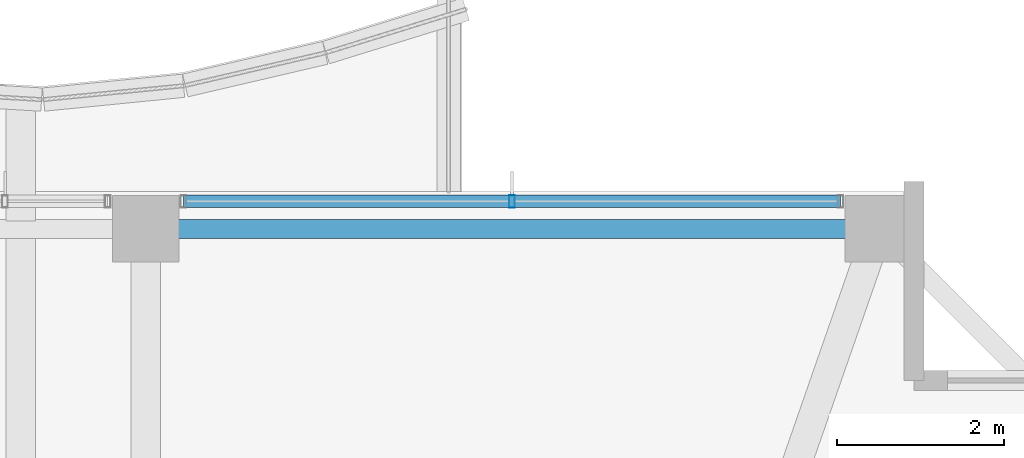
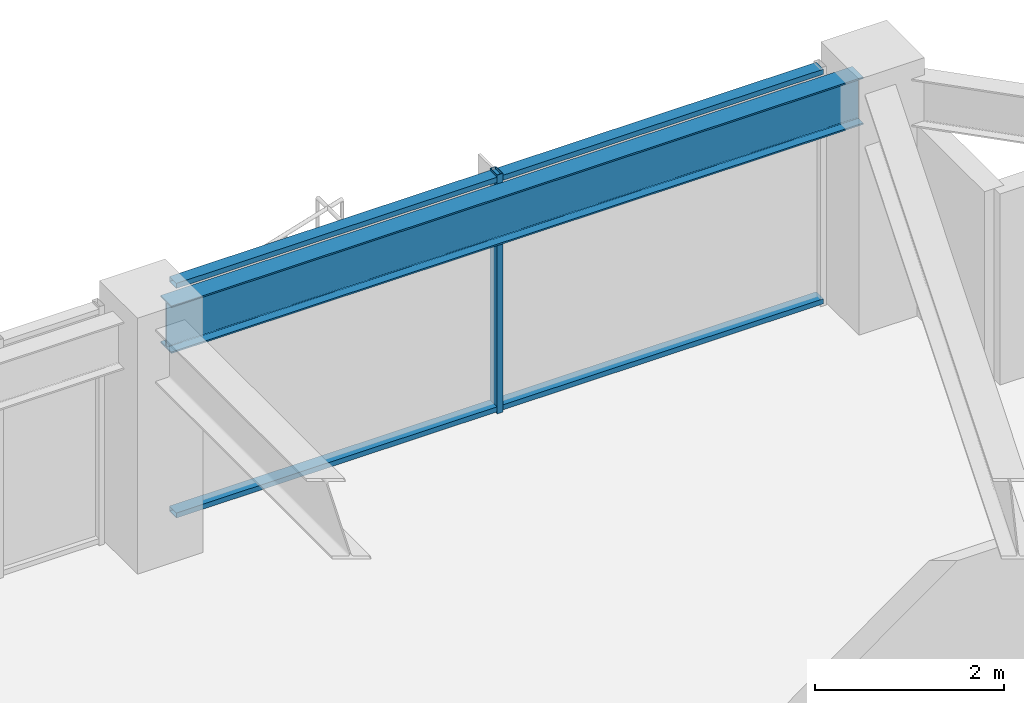
# One storey, part 19 of 36: 3 members, 1 beam, 1 element without a shape of its own.
"""IFC4 building model written with IfcOpenShell, lengths in metres."""

from ifc_helpers import new_model, si_unit, direction, frame, origin, origin_2d, place, context, subcontext, project, spatial, hollow_rectangle, i_section, extrude, material, material_profile, profile_set, type_object, element, aggregate, save


model = new_model("IFC4")

# Units and contexts
model_context = context("Model", 3, precision=1e-05, world=origin(), true_north=direction((0.0, 1.0)))
body_context = subcontext(model_context, "Body", "Model", "MODEL_VIEW")
ifc_project = project(units=[si_unit("LENGTHUNIT", "METRE"), si_unit("AREAUNIT", "SQUARE_METRE"), si_unit("VOLUMEUNIT", "CUBIC_METRE"), si_unit("PLANEANGLEUNIT", "RADIAN"), si_unit("MASSUNIT", "GRAM", prefix="KILO")], contexts=[model_context])

# Site, building, storey
site_placement = place(None, origin())
site = spatial("IfcSite", under=ifc_project, at=site_placement, CompositionType="ELEMENT")
building_placement = place(site_placement, origin())
building = spatial("IfcBuilding", under=site, at=building_placement, Name="Kolvaren Belvedere", CompositionType="ELEMENT")
storey_placement = place(building_placement, frame((0.0, 0.0, 196.5)))
storey = spatial("IfcBuildingStorey", under=building, at=storey_placement, Name="L57", CompositionType="ELEMENT", Elevation=196.5)

# Beam
ifc_material_1 = material(Name="Structural steel ASTM A992 Grade 50", Category="steel")
ifc_material_profile_1 = material_profile(ifc_material_1, i_section(OverallWidth=0.22900390625, OverallDepth=0.612060546875, WebThickness=0.011962890625, FlangeThickness=0.01953125, FilletRadius=0.01806640625, at=origin_2d()), Name="W24X84")
ifc_profile_set_1 = profile_set([ifc_material_profile_1], Name="Structural steel ASTM A992 Grade 50")
beam_type = type_object("IfcBeamType", Name="BM-SPAN-W24X84", PredefinedType="SPANDREL", material=ifc_profile_set_1)
beam_placement = place(storey_placement, frame((13.219970703125, 19.949951171875, 2.77392578125), z_axis=(-1.0, 0.0, 0.0), x_axis=(0.0, -1.0, 0.0)))
element("IfcBeam", 1, at=beam_placement, inside=storey, type_object=beam_type, Name="L57 Perimeter Spandrel N4-N3", PredefinedType="SPANDREL", context=body_context, shape_type="SweptSolid", body=[
    extrude(i_section(OverallWidth=0.22900390625, OverallDepth=0.612060546875, WebThickness=0.011962890625, FlangeThickness=0.01953125, FilletRadius=0.01806640625, at=origin_2d()), origin(), (0.0, 0.0, 1.0), 8.43994140625),
])

# Curtain wall, members
ifc_material_2 = material(Name="Anodised pale-metal aluminium AA 6063-T6", Category="aluminium")
curtain_wall_type = type_object("IfcCurtainWallType", Name="CW-Z5-HIGH", PredefinedType="NOTDEFINED", material=ifc_material_2)
curtain_wall_placement = place(storey_placement, origin())
curtain_wall = element("IfcCurtainWall", 2, at=curtain_wall_placement, inside=storey, type_object=curtain_wall_type, Name="L57 Unitised Curtain Wall FCW-L57-N2-B2", PredefinedType="NOTDEFINED")
ifc_material_3 = material(Name="Anodised pale-metal aluminium AA 6063-T6", Category="aluminium")
ifc_material_profile_2 = material_profile(ifc_material_3, hollow_rectangle(XDim=0.070068359375, YDim=0.14990234375, WallThickness=0.004150390625, at=origin_2d()), Name="ALU-MUL-150X70")
ifc_profile_set_2 = profile_set([ifc_material_profile_2], Name="Anodised pale-metal aluminium AA 6063-T6")
member_type_1 = type_object("IfcMemberType", Name="CW-MUL-150", PredefinedType="MULLION", material=ifc_profile_set_2)
member_1_placement = place(storey_placement, frame((9.0, 20.280029296875, 0.0), z_axis=(0.0, 0.0, 1.0), x_axis=(1.0, 0.0, 0.0)))
member_1 = element("IfcMember", 3, at=member_1_placement, type_object=member_type_1, Name="FCW-L57-N2-B2 Unitised Mullion 2", PredefinedType="MULLION", context=body_context, shape_type="SweptSolid", body=[
    extrude(hollow_rectangle(XDim=0.070068359375, YDim=0.14990234375, WallThickness=0.004150390625, at=origin_2d()), origin(), (0.0, 0.0, 1.0), 3.080078125),
])
ifc_material_4 = material(Name="Anodised pale-metal aluminium AA 6063-T6", Category="aluminium")
ifc_material_profile_3 = material_profile(ifc_material_4, hollow_rectangle(XDim=0.06494140625, YDim=0.14990234375, WallThickness=0.00390625, at=origin_2d()), Name="ALU-TRN-150X65")
ifc_profile_set_3 = profile_set([ifc_material_profile_3], Name="Anodised pale-metal aluminium AA 6063-T6")
member_type_2 = type_object("IfcMemberType", Name="CW-TRN-150", PredefinedType="USERDEFINED", material=ifc_profile_set_3)
member_2_placement = place(storey_placement, frame((5.054931640625, 20.280029296875, 0.06005859375), z_axis=(1.0, 0.0, 0.0), x_axis=(0.0, 0.0, 1.0)))
member_2 = element("IfcMember", 4, at=member_2_placement, type_object=member_type_2, Name="FCW-L57-N2-B2 Sill Transom", ObjectType="TRANSOM", PredefinedType="USERDEFINED", context=body_context, shape_type="SweptSolid", body=[
    extrude(hollow_rectangle(XDim=0.06494140625, YDim=0.14990234375, WallThickness=0.00390625, at=origin_2d()), origin(), (0.0, 0.0, 1.0), 7.89013671875),
])
member_3_placement = place(storey_placement, frame((5.054931640625, 20.280029296875, 3.02001953125), z_axis=(1.0, 0.0, 0.0), x_axis=(0.0, 0.0, 1.0)))
member_3 = element("IfcMember", 5, at=member_3_placement, type_object=member_type_2, Name="FCW-L57-N2-B2 Head Transom", ObjectType="TRANSOM", PredefinedType="USERDEFINED", context=body_context, shape_type="SweptSolid", body=[
    extrude(hollow_rectangle(XDim=0.06494140625, YDim=0.14990234375, WallThickness=0.00390625, at=origin_2d()), origin(), (0.0, 0.0, 1.0), 7.89013671875),
])
aggregate(curtain_wall, [member_1, member_2, member_3])

save(model, "model.ifc")
